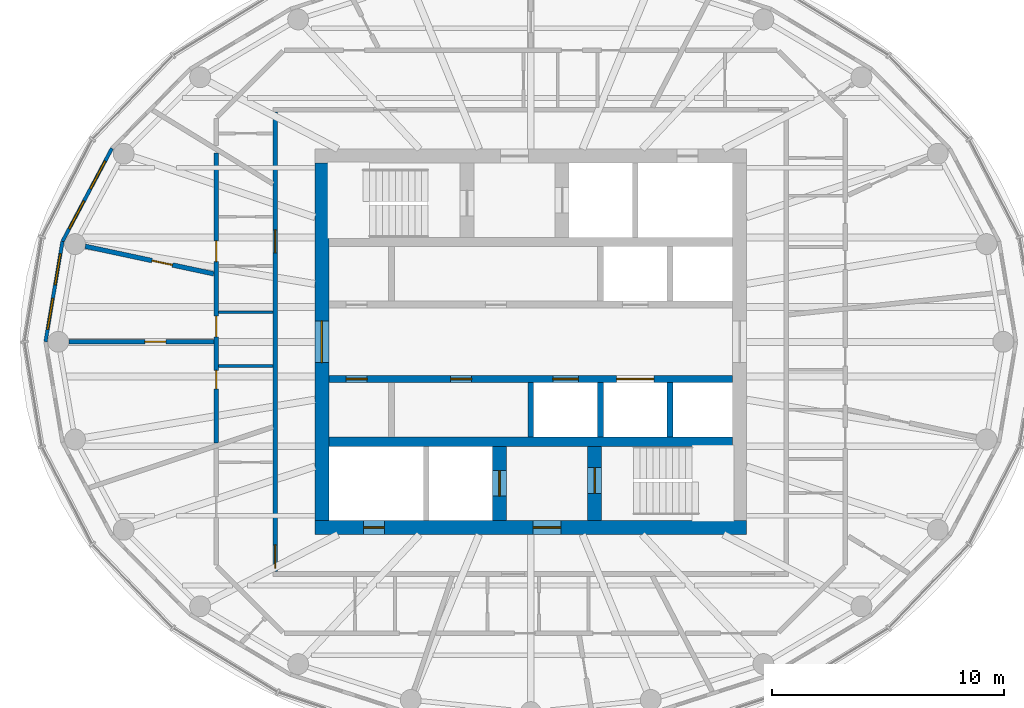
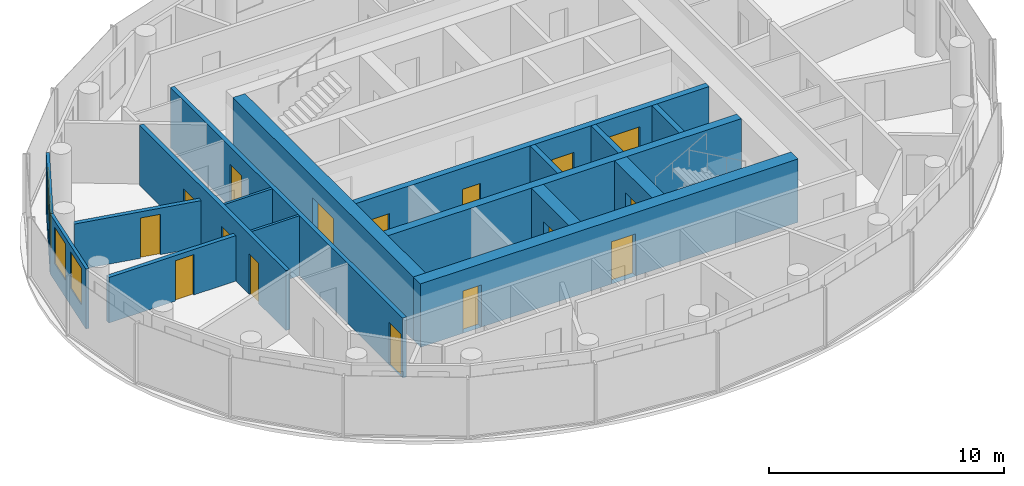
# One storey, part 6 of 11: 17 walls, 16 doors, 4 windows, 20 openings.
"""IFC4 building model written with IfcOpenShell, lengths in metres."""

from ifc_helpers import new_model, si_unit, direction, frame, frame_2d, origin, place, context, subcontext, project, spatial, rectangle, extrude, material, layer, layer_set, type_object, element, fill, save


model = new_model("IFC4")

# Units and contexts
model_context = context("Model", 3, precision=1e-05, world=origin(), true_north=direction((0.0, 1.0)))
body_context = subcontext(model_context, "Body", "Model", "MODEL_VIEW")
ifc_project = project(units=[si_unit("LENGTHUNIT", "METRE"), si_unit("AREAUNIT", "SQUARE_METRE"), si_unit("VOLUMEUNIT", "CUBIC_METRE"), si_unit("PLANEANGLEUNIT", "RADIAN"), si_unit("MASSUNIT", "GRAM", prefix="KILO")], contexts=[model_context])

# Site, building, storey
site_placement = place(None, origin())
site = spatial("IfcSite", under=ifc_project, at=site_placement, CompositionType="ELEMENT")
building_placement = place(site_placement, origin())
building = spatial("IfcBuilding", under=site, at=building_placement, Name="Hankou Lantern Tower", CompositionType="ELEMENT")
storey_placement = place(building_placement, frame((0.0, 0.0, 206.10009765625)))
storey = spatial("IfcBuildingStorey", under=building, at=storey_placement, Name="L55", CompositionType="ELEMENT", Elevation=206.10009765625)

# Wall, openings, doors
ifc_material_1 = material(Name="Concrete C60", Category="concrete")
ifc_layer_1 = layer(ifc_material_1, 0.60009765625)
ifc_layer_set_1 = layer_set([ifc_layer_1], Name="Concrete C60")
wall_type_1 = type_object("IfcWallType", Name="CW3 CORE WALL 600", PredefinedType="SHEAR", material=ifc_layer_set_1)
wall_1_placement = place(storey_placement, frame((9.300048828125, -8.0, 0.0), z_axis=(0.0, 0.0, 1.0), x_axis=(-1.0, 0.0, 0.0)))
wall_1 = element("IfcWall", 1, at=wall_1_placement, inside=storey, type_object=wall_type_1, Name="Core wall south L55", PredefinedType="SHEAR", context=body_context, shape_type="SweptSolid", body=[
    extrude(rectangle(XDim=18.60009765625, YDim=0.60009765625, at=frame_2d((9.300048828125, 0.0))), origin(), (0.0, 0.0, 1.0), 3.2998046875),
])
opening_1_placement = place(wall_1_placement, frame((8.0, 0.0, 0.0)))
opening_1 = element("IfcOpeningElement", 2, at=opening_1_placement, cuts=wall_1, Name="Opening D5", PredefinedType="OPENING", context=body_context, shape_type="SweptSolid", body=[
    extrude(rectangle(XDim=1.199951171875, YDim=2.199951171875, at=frame_2d((0.60009765625, 1.10009765625))), frame((0.0, 0.31005859375, 0.0), z_axis=(0.0, -1.0, 0.0), x_axis=(1.0, 0.0, 0.0)), (0.0, 0.0, 1.0), 0.6201171875),
])
opening_2_placement = place(wall_1_placement, frame((15.60009765625, 0.0, 0.0)))
opening_2 = element("IfcOpeningElement", 3, at=opening_2_placement, cuts=wall_1, Name="Opening D7", PredefinedType="OPENING", context=body_context, shape_type="SweptSolid", body=[
    extrude(rectangle(XDim=0.89990234375, YDim=2.199951171875, at=frame_2d((0.449951171875, 1.10009765625))), frame((0.0, 0.31005859375, 0.0), z_axis=(0.0, -1.0, 0.0), x_axis=(1.0, 0.0, 0.0)), (0.0, 0.0, 1.0), 0.6201171875),
])
ifc_material_2 = material(Name="Steel door leaf", Category="steel")
door_type_1 = type_object("IfcDoorType", Name="D5 STAIR LOBBY DOOR 1200X2200", OperationType="SINGLE_SWING_LEFT", PredefinedType="DOOR", material=ifc_material_2)
door_1_placement = place(opening_1_placement, origin())
door_1 = element("IfcDoor", 4, at=door_1_placement, inside=storey, type_object=door_type_1, Name="Stair B lobby door", OperationType="SINGLE_SWING_LEFT", OverallHeight=2.199951171875, OverallWidth=1.199951171875, PredefinedType="DOOR", context=body_context, shape_type="SweptSolid", body=[
    extrude(rectangle(XDim=1.199951171875, YDim=2.199951171875, at=frame_2d((0.60009765625, 1.10009765625))), frame((0.0, 0.02490234375, 0.0), z_axis=(0.0, -1.0, 0.0), x_axis=(1.0, 0.0, 0.0)), (0.0, 0.0, 1.0), 0.050048828125),
])
fill(opening_1, door_1)
ifc_material_3 = material(Name="Steel door leaf", Category="steel")
door_type_2 = type_object("IfcDoorType", Name="D7 RISER DOOR 900X2200", OperationType="SINGLE_SWING_LEFT", PredefinedType="DOOR", material=ifc_material_3)
door_2_placement = place(opening_2_placement, origin())
door_2 = element("IfcDoor", 5, at=door_2_placement, inside=storey, type_object=door_type_2, Name="Riser S1 door", OperationType="SINGLE_SWING_RIGHT", OverallHeight=2.199951171875, OverallWidth=0.89990234375, PredefinedType="DOOR", context=body_context, shape_type="SweptSolid", body=[
    extrude(rectangle(XDim=0.89990234375, YDim=2.199951171875, at=frame_2d((0.449951171875, 1.10009765625))), frame((0.0, 0.02490234375, 0.0), z_axis=(0.0, -1.0, 0.0), x_axis=(1.0, 0.0, 0.0)), (0.0, 0.0, 1.0), 0.050048828125),
])
fill(opening_2, door_2)

# Wall, opening, door
wall_2_placement = place(storey_placement, frame((-9.0, 7.699951171875, 0.0), z_axis=(0.0, 0.0, 1.0), x_axis=(0.0, -1.0, 0.0)))
wall_2 = element("IfcWall", 6, at=wall_2_placement, inside=storey, type_object=wall_type_1, Name="Core wall west L55", PredefinedType="SHEAR", context=body_context, shape_type="SweptSolid", body=[
    extrude(rectangle(XDim=15.39990234375, YDim=0.60009765625, at=frame_2d((7.699951171875, 0.0))), origin(), (0.0, 0.0, 1.0), 3.2998046875),
])
opening_3_placement = place(wall_2_placement, frame((6.800048828125, 0.0, 0.0)))
opening_3 = element("IfcOpeningElement", 7, at=opening_3_placement, cuts=wall_2, Name="Opening D6", PredefinedType="OPENING", context=body_context, shape_type="SweptSolid", body=[
    extrude(rectangle(XDim=1.800048828125, YDim=2.199951171875, at=frame_2d((0.89990234375, 1.10009765625))), frame((0.0, 0.31005859375, 0.0), z_axis=(0.0, -1.0, 0.0), x_axis=(1.0, 0.0, 0.0)), (0.0, 0.0, 1.0), 0.6201171875),
])
ifc_material_4 = material(Name="Steel door leaf", Category="steel")
door_type_3 = type_object("IfcDoorType", Name="D6 LIFT LOBBY DOOR 1800X2200", OperationType="DOUBLE_DOOR_DOUBLE_SWING", PredefinedType="DOOR", material=ifc_material_4)
door_3_placement = place(opening_3_placement, origin())
door_3 = element("IfcDoor", 8, at=door_3_placement, inside=storey, type_object=door_type_3, Name="Lift lobby west door", OperationType="DOUBLE_DOOR_DOUBLE_SWING", OverallHeight=2.199951171875, OverallWidth=1.800048828125, PredefinedType="DOOR", context=body_context, shape_type="SweptSolid", body=[
    extrude(rectangle(XDim=1.800048828125, YDim=2.199951171875, at=frame_2d((0.89990234375, 1.10009765625))), frame((0.0, 0.02490234375, 0.0), z_axis=(0.0, -1.0, 0.0), x_axis=(1.0, 0.0, 0.0)), (0.0, 0.0, 1.0), 0.050048828125),
])
fill(opening_3, door_3)

# Wall
ifc_material_5 = material(Name="Concrete C60", Category="concrete")
ifc_layer_2 = layer(ifc_material_5, 0.39990234375)
ifc_layer_set_2 = layer_set([ifc_layer_2], Name="Concrete C60")
wall_type_2 = type_object("IfcWallType", Name="CW4 CORE CROSS WALL 400", PredefinedType="SHEAR", material=ifc_layer_set_2)
wall_3_placement = place(storey_placement, frame((-8.699951171875, -4.300048828125, 0.0), z_axis=(0.0, 0.0, 1.0), x_axis=(1.0, 0.0, 0.0)))
element("IfcWall", 9, at=wall_3_placement, inside=storey, type_object=wall_type_2, Name="Core band wall south L55", PredefinedType="SHEAR", context=body_context, shape_type="SweptSolid", body=[
    extrude(rectangle(XDim=17.39990234375, YDim=0.39990234375, at=frame_2d((8.699951171875, 0.0))), origin(), (0.0, 0.0, 1.0), 3.2998046875),
])

# Wall, openings, doors
ifc_material_6 = material(Name="Concrete C60", Category="concrete")
ifc_layer_3 = layer(ifc_material_6, 0.300048828125)
ifc_layer_set_3 = layer_set([ifc_layer_3], Name="Concrete C60")
wall_type_3 = type_object("IfcWallType", Name="CW5 LIFT LOBBY WALL 300", PredefinedType="SHEAR", material=ifc_layer_set_3)
wall_4_placement = place(storey_placement, frame((-8.699951171875, -1.60009765625, 0.0), z_axis=(0.0, 0.0, 1.0), x_axis=(1.0, 0.0, 0.0)))
wall_4 = element("IfcWall", 10, at=wall_4_placement, inside=storey, type_object=wall_type_3, Name="Lift lobby wall south L55", PredefinedType="SHEAR", context=body_context, shape_type="SweptSolid", body=[
    extrude(rectangle(XDim=17.39990234375, YDim=0.300048828125, at=frame_2d((8.699951171875, 0.0))), origin(), (0.0, 0.0, 1.0), 3.2998046875),
])
opening_4_placement = place(wall_4_placement, frame((9.64990234375, 0.0, 0.0)))
opening_4 = element("IfcOpeningElement", 11, at=opening_4_placement, cuts=wall_4, Name="Opening LD1", PredefinedType="OPENING", context=body_context, shape_type="SweptSolid", body=[
    extrude(rectangle(XDim=1.10009765625, YDim=2.199951171875, at=frame_2d((0.550048828125, 1.10009765625))), frame((0.0, 0.159912109375, 0.0), z_axis=(0.0, -1.0, 0.0), x_axis=(1.0, 0.0, 0.0)), (0.0, 0.0, 1.0), 0.320068359375),
])
opening_5_placement = place(wall_4_placement, frame((12.39990234375, 0.0, 0.0)))
opening_5 = element("IfcOpeningElement", 12, at=opening_5_placement, cuts=wall_4, Name="Opening LD4", PredefinedType="OPENING", context=body_context, shape_type="SweptSolid", body=[
    extrude(rectangle(XDim=1.60009765625, YDim=2.39990234375, at=frame_2d((0.800048828125, 1.199951171875))), frame((0.0, 0.159912109375, 0.0), z_axis=(0.0, -1.0, 0.0), x_axis=(1.0, 0.0, 0.0)), (0.0, 0.0, 1.0), 0.320068359375),
])
opening_6_placement = place(wall_4_placement, frame((0.75, 0.0, 0.0)))
opening_6 = element("IfcOpeningElement", 13, at=opening_6_placement, cuts=wall_4, Name="Opening D30", PredefinedType="OPENING", context=body_context, shape_type="SweptSolid", body=[
    extrude(rectangle(XDim=0.89990234375, YDim=2.199951171875, at=frame_2d((0.449951171875, 1.10009765625))), frame((0.0, 0.159912109375, 0.0), z_axis=(0.0, -1.0, 0.0), x_axis=(1.0, 0.0, 0.0)), (0.0, 0.0, 1.0), 0.320068359375),
])
opening_7_placement = place(wall_4_placement, frame((5.25, 0.0, 0.0)))
opening_7 = element("IfcOpeningElement", 14, at=opening_7_placement, cuts=wall_4, Name="Opening D30", PredefinedType="OPENING", context=body_context, shape_type="SweptSolid", body=[
    extrude(rectangle(XDim=0.89990234375, YDim=2.199951171875, at=frame_2d((0.449951171875, 1.10009765625))), frame((0.0, 0.159912109375, 0.0), z_axis=(0.0, -1.0, 0.0), x_axis=(1.0, 0.0, 0.0)), (0.0, 0.0, 1.0), 0.320068359375),
])
ifc_material_7 = material(Name="Steel door leaf", Category="steel")
door_type_4 = type_object("IfcDoorType", Name="D30 CORE ROOM DOOR 900X2200", OperationType="SINGLE_SWING_LEFT", PredefinedType="DOOR", material=ifc_material_7)
door_4_placement = place(opening_6_placement, origin())
door_4 = element("IfcDoor", 15, at=door_4_placement, inside=storey, type_object=door_type_4, Name="Minibar store door", OperationType="SINGLE_SWING_LEFT", OverallHeight=2.199951171875, OverallWidth=0.89990234375, PredefinedType="DOOR", context=body_context, shape_type="SweptSolid", body=[
    extrude(rectangle(XDim=0.89990234375, YDim=2.199951171875, at=frame_2d((0.449951171875, 1.10009765625))), frame((0.0, 0.02490234375, 0.0), z_axis=(0.0, -1.0, 0.0), x_axis=(1.0, 0.0, 0.0)), (0.0, 0.0, 1.0), 0.050048828125),
])
fill(opening_6, door_4)
door_5_placement = place(opening_7_placement, origin())
door_5 = element("IfcDoor", 16, at=door_5_placement, inside=storey, type_object=door_type_4, Name="Guest pantry and ice room door", OperationType="SINGLE_SWING_LEFT", OverallHeight=2.199951171875, OverallWidth=0.89990234375, PredefinedType="DOOR", context=body_context, shape_type="SweptSolid", body=[
    extrude(rectangle(XDim=0.89990234375, YDim=2.199951171875, at=frame_2d((0.449951171875, 1.10009765625))), frame((0.0, 0.02490234375, 0.0), z_axis=(0.0, -1.0, 0.0), x_axis=(1.0, 0.0, 0.0)), (0.0, 0.0, 1.0), 0.050048828125),
])
fill(opening_7, door_5)
ifc_material_8 = material(Name="Steel door leaf", Category="steel")
door_type_5 = type_object("IfcDoorType", Name="LD1 LIFT LANDING DOOR 1100X2200", OperationType="DOUBLE_DOOR_SLIDING", PredefinedType="DOOR", material=ifc_material_8)
door_6_placement = place(opening_4_placement, origin())
door_6 = element("IfcDoor", 17, at=door_6_placement, inside=storey, type_object=door_type_5, Name="Lift T2 landing door", OperationType="DOUBLE_DOOR_SLIDING", OverallHeight=2.199951171875, OverallWidth=1.10009765625, PredefinedType="DOOR", context=body_context, shape_type="SweptSolid", body=[
    extrude(rectangle(XDim=1.10009765625, YDim=2.199951171875, at=frame_2d((0.550048828125, 1.10009765625))), frame((0.0, 0.02490234375, 0.0), z_axis=(0.0, -1.0, 0.0), x_axis=(1.0, 0.0, 0.0)), (0.0, 0.0, 1.0), 0.050048828125),
])
fill(opening_4, door_6)
ifc_material_9 = material(Name="Steel door leaf", Category="steel")
door_type_6 = type_object("IfcDoorType", Name="LD4 SERVICE LIFT LANDING DOOR 1600X2400", OperationType="DOUBLE_DOOR_SLIDING", PredefinedType="DOOR", material=ifc_material_9)
door_7_placement = place(opening_5_placement, origin())
door_7 = element("IfcDoor", 18, at=door_7_placement, inside=storey, type_object=door_type_6, Name="Lift SV1 landing door", OperationType="DOUBLE_DOOR_SLIDING", OverallHeight=2.39990234375, OverallWidth=1.60009765625, PredefinedType="DOOR", context=body_context, shape_type="SweptSolid", body=[
    extrude(rectangle(XDim=1.60009765625, YDim=2.39990234375, at=frame_2d((0.800048828125, 1.199951171875))), frame((0.0, 0.02490234375, 0.0), z_axis=(0.0, -1.0, 0.0), x_axis=(1.0, 0.0, 0.0)), (0.0, 0.0, 1.0), 0.050048828125),
])
fill(opening_5, door_7)

# Wall, opening, door
ifc_material_10 = material(Name="Concrete C60", Category="concrete")
ifc_layer_4 = layer(ifc_material_10, 0.60009765625)
ifc_layer_set_4 = layer_set([ifc_layer_4], Name="Concrete C60")
wall_type_4 = type_object("IfcWallType", Name="CW6 STAIR AND SHAFT WALL 600", PredefinedType="SHEAR", material=ifc_layer_set_4)
wall_5_placement = place(storey_placement, frame((2.75, -7.699951171875, 0.0), z_axis=(0.0, 0.0, 1.0), x_axis=(0.0, 1.0, 0.0)))
wall_5 = element("IfcWall", 19, at=wall_5_placement, inside=storey, type_object=wall_type_4, Name="Stair wall L55", PredefinedType="SHEAR", context=body_context, shape_type="SweptSolid", body=[
    extrude(rectangle(XDim=3.199951171875, YDim=0.60009765625, at=frame_2d((1.60009765625, 0.0))), origin(), (0.0, 0.0, 1.0), 3.2998046875),
])
opening_8_placement = place(wall_5_placement, frame((1.175048828125, 0.0, 0.0)))
opening_8 = element("IfcOpeningElement", 20, at=opening_8_placement, cuts=wall_5, Name="Opening D4", PredefinedType="OPENING", context=body_context, shape_type="SweptSolid", body=[
    extrude(rectangle(XDim=1.10009765625, YDim=2.199951171875, at=frame_2d((0.550048828125, 1.10009765625))), frame((0.0, 0.31005859375, 0.0), z_axis=(0.0, -1.0, 0.0), x_axis=(1.0, 0.0, 0.0)), (0.0, 0.0, 1.0), 0.6201171875),
])
ifc_material_11 = material(Name="Steel door leaf", Category="steel")
door_type_7 = type_object("IfcDoorType", Name="D4 STAIR DOOR 1100X2200", OperationType="SINGLE_SWING_LEFT", PredefinedType="DOOR", material=ifc_material_11)
door_8_placement = place(opening_8_placement, origin())
door_8 = element("IfcDoor", 21, at=door_8_placement, inside=storey, type_object=door_type_7, Name="Stair B door", OperationType="SINGLE_SWING_RIGHT", OverallHeight=2.199951171875, OverallWidth=1.10009765625, PredefinedType="DOOR", context=body_context, shape_type="SweptSolid", body=[
    extrude(rectangle(XDim=1.10009765625, YDim=2.199951171875, at=frame_2d((0.550048828125, 1.10009765625))), frame((0.0, 0.02490234375, 0.0), z_axis=(0.0, -1.0, 0.0), x_axis=(1.0, 0.0, 0.0)), (0.0, 0.0, 1.0), 0.050048828125),
])
fill(opening_8, door_8)

wall_6_placement = place(storey_placement, frame((-1.35009765625, -7.699951171875, 0.0), z_axis=(0.0, 0.0, 1.0), x_axis=(0.0, 1.0, 0.0)))
wall_6 = element("IfcWall", 22, at=wall_6_placement, inside=storey, type_object=wall_type_4, Name="Firefighting lift shaft wall L55", PredefinedType="SHEAR", context=body_context, shape_type="SweptSolid", body=[
    extrude(rectangle(XDim=3.199951171875, YDim=0.60009765625, at=frame_2d((1.60009765625, 0.0))), origin(), (0.0, 0.0, 1.0), 3.2998046875),
])
opening_9_placement = place(wall_6_placement, frame((1.050048828125, 0.0, 0.0)))
opening_9 = element("IfcOpeningElement", 23, at=opening_9_placement, cuts=wall_6, Name="Opening LD2", PredefinedType="OPENING", context=body_context, shape_type="SweptSolid", body=[
    extrude(rectangle(XDim=1.10009765625, YDim=2.199951171875, at=frame_2d((0.550048828125, 1.10009765625))), frame((0.0, 0.31005859375, 0.0), z_axis=(0.0, -1.0, 0.0), x_axis=(1.0, 0.0, 0.0)), (0.0, 0.0, 1.0), 0.6201171875),
])
ifc_material_12 = material(Name="Steel door leaf", Category="steel")
door_type_8 = type_object("IfcDoorType", Name="LD2 FIREFIGHTING LIFT LANDING DOOR 1100X2200", OperationType="DOUBLE_DOOR_SLIDING", PredefinedType="DOOR", material=ifc_material_12)
door_9_placement = place(opening_9_placement, origin())
door_9 = element("IfcDoor", 24, at=door_9_placement, inside=storey, type_object=door_type_8, Name="Firefighting lift FL2 landing door", OperationType="DOUBLE_DOOR_SLIDING", OverallHeight=2.199951171875, OverallWidth=1.10009765625, PredefinedType="DOOR", context=body_context, shape_type="SweptSolid", body=[
    extrude(rectangle(XDim=1.10009765625, YDim=2.199951171875, at=frame_2d((0.550048828125, 1.10009765625))), frame((0.0, 0.02490234375, 0.0), z_axis=(0.0, -1.0, 0.0), x_axis=(1.0, 0.0, 0.0)), (0.0, 0.0, 1.0), 0.050048828125),
])
fill(opening_9, door_9)

# Wall, openings, windows
ifc_material_13 = material(Name="Aluminium spandrel panel on steel studs", Category="steel")
ifc_layer_5 = layer(ifc_material_13, 0.14990234375)
ifc_layer_set_5 = layer_set([ifc_layer_5], Name="Aluminium spandrel panel on steel studs")
wall_type_5 = type_object("IfcWallType", Name="EW1 INNER SKIN WALL 150", PredefinedType="ELEMENTEDWALL", material=ifc_layer_set_5)
wall_7_placement = place(storey_placement, frame((-18.03955078125, 8.33203125, 0.0), z_axis=(0.0, 0.0, 1.0), x_axis=(-0.469256152955, -0.883062094597, 0.0)))
wall_7 = element("IfcWall", 25, at=wall_7_placement, inside=storey, type_object=wall_type_5, Name="Inner skin R11-R12 L55", PredefinedType="ELEMENTEDWALL", context=body_context, shape_type="SweptSolid", body=[
    extrude(rectangle(XDim=4.539306640625, YDim=0.14990234375, at=frame_2d((2.26953125, 0.0))), origin(), (0.0, 0.0, 1.0), 3.119873046875),
])
opening_10_placement = place(wall_7_placement, frame((0.61962890625, 0.0, 0.89990234375)))
opening_10 = element("IfcOpeningElement", 26, at=opening_10_placement, cuts=wall_7, Name="Opening W4", PredefinedType="OPENING", context=body_context, shape_type="SweptSolid", body=[
    extrude(rectangle(XDim=1.35009765625, YDim=1.89990234375, at=frame_2d((0.675048828125, 0.949951171875))), frame((0.0, 0.0849609375, 0.0), z_axis=(0.0, -1.0, 0.0), x_axis=(1.0, 0.0, 0.0)), (0.0, 0.0, 1.0), 0.169921875),
])
opening_11_placement = place(wall_7_placement, frame((2.569580078125, 0.0, 0.89990234375)))
opening_11 = element("IfcOpeningElement", 27, at=opening_11_placement, cuts=wall_7, Name="Opening W4", PredefinedType="OPENING", context=body_context, shape_type="SweptSolid", body=[
    extrude(rectangle(XDim=1.35009765625, YDim=1.89990234375, at=frame_2d((0.675048828125, 0.949951171875))), frame((0.0, 0.0849609375, 0.0), z_axis=(0.0, -1.0, 0.0), x_axis=(1.0, 0.0, 0.0)), (0.0, 0.0, 1.0), 0.169921875),
])
ifc_material_14 = material(Name="Aluminium framed double glazed window", Category="aluminium")
window_type = type_object("IfcWindowType", Name="W4 SUITE WINDOW 1350X1900", PartitioningType="DOUBLE_PANEL_VERTICAL", PredefinedType="WINDOW", material=ifc_material_14)
window_1_placement = place(opening_10_placement, origin())
window_1 = element("IfcWindow", 28, at=window_1_placement, inside=storey, type_object=window_type, Name="Window R11.1 L55", OverallHeight=1.89990234375, OverallWidth=1.35009765625, PartitioningType="SINGLE_PANEL", PredefinedType="WINDOW", context=body_context, shape_type="SweptSolid", body=[
    extrude(rectangle(XDim=1.35009765625, YDim=1.89990234375, at=frame_2d((0.675048828125, 0.949951171875))), frame((0.0, 0.030029296875, 0.0), z_axis=(0.0, -1.0, 0.0), x_axis=(1.0, 0.0, 0.0)), (0.0, 0.0, 1.0), 0.06005859375),
])
fill(opening_10, window_1)
window_2_placement = place(opening_11_placement, origin())
window_2 = element("IfcWindow", 29, at=window_2_placement, inside=storey, type_object=window_type, Name="Window R11.2 L55", OverallHeight=1.89990234375, OverallWidth=1.35009765625, PartitioningType="SINGLE_PANEL", PredefinedType="WINDOW", context=body_context, shape_type="SweptSolid", body=[
    extrude(rectangle(XDim=1.35009765625, YDim=1.89990234375, at=frame_2d((0.675048828125, 0.949951171875))), frame((0.0, 0.030029296875, 0.0), z_axis=(0.0, -1.0, 0.0), x_axis=(1.0, 0.0, 0.0)), (0.0, 0.0, 1.0), 0.06005859375),
])
fill(opening_11, window_2)

wall_8_placement = place(storey_placement, frame((-20.169677734375, 4.323486328125, 0.0), z_axis=(0.0, 0.0, 1.0), x_axis=(-0.166538513568, -0.986034950445, 0.0)))
wall_8 = element("IfcWall", 30, at=wall_8_placement, inside=storey, type_object=wall_type_5, Name="Inner skin R12-R13 L55", PredefinedType="ELEMENTEDWALL", context=body_context, shape_type="SweptSolid", body=[
    extrude(rectangle(XDim=4.384765625, YDim=0.14990234375, at=frame_2d((2.1923828125, 0.0))), origin(), (0.0, 0.0, 1.0), 3.119873046875),
])
opening_12_placement = place(wall_8_placement, frame((0.54248046875, 0.0, 0.89990234375)))
opening_12 = element("IfcOpeningElement", 31, at=opening_12_placement, cuts=wall_8, Name="Opening W4", PredefinedType="OPENING", context=body_context, shape_type="SweptSolid", body=[
    extrude(rectangle(XDim=1.35009765625, YDim=1.89990234375, at=frame_2d((0.675048828125, 0.949951171875))), frame((0.0, 0.0849609375, 0.0), z_axis=(0.0, -1.0, 0.0), x_axis=(1.0, 0.0, 0.0)), (0.0, 0.0, 1.0), 0.169921875),
])
opening_13_placement = place(wall_8_placement, frame((2.492431640625, 0.0, 0.89990234375)))
opening_13 = element("IfcOpeningElement", 32, at=opening_13_placement, cuts=wall_8, Name="Opening W4", PredefinedType="OPENING", context=body_context, shape_type="SweptSolid", body=[
    extrude(rectangle(XDim=1.35009765625, YDim=1.89990234375, at=frame_2d((0.675048828125, 0.949951171875))), frame((0.0, 0.0849609375, 0.0), z_axis=(0.0, -1.0, 0.0), x_axis=(1.0, 0.0, 0.0)), (0.0, 0.0, 1.0), 0.169921875),
])
window_3_placement = place(opening_12_placement, origin())
window_3 = element("IfcWindow", 33, at=window_3_placement, inside=storey, type_object=window_type, Name="Window R12.1 L55", OverallHeight=1.89990234375, OverallWidth=1.35009765625, PartitioningType="SINGLE_PANEL", PredefinedType="WINDOW", context=body_context, shape_type="SweptSolid", body=[
    extrude(rectangle(XDim=1.35009765625, YDim=1.89990234375, at=frame_2d((0.675048828125, 0.949951171875))), frame((0.0, 0.030029296875, 0.0), z_axis=(0.0, -1.0, 0.0), x_axis=(1.0, 0.0, 0.0)), (0.0, 0.0, 1.0), 0.06005859375),
])
fill(opening_12, window_3)
window_4_placement = place(opening_13_placement, origin())
window_4 = element("IfcWindow", 34, at=window_4_placement, inside=storey, type_object=window_type, Name="Window R12.2 L55", OverallHeight=1.89990234375, OverallWidth=1.35009765625, PartitioningType="SINGLE_PANEL", PredefinedType="WINDOW", context=body_context, shape_type="SweptSolid", body=[
    extrude(rectangle(XDim=1.35009765625, YDim=1.89990234375, at=frame_2d((0.675048828125, 0.949951171875))), frame((0.0, 0.030029296875, 0.0), z_axis=(0.0, -1.0, 0.0), x_axis=(1.0, 0.0, 0.0)), (0.0, 0.0, 1.0), 0.06005859375),
])
fill(opening_13, window_4)

# Wall, openings, doors
ifc_material_15 = material(Name="Masonry lightweight concrete block", Category="masonry")
ifc_layer_6 = layer(ifc_material_15, 0.199951171875)
ifc_layer_set_6 = layer_set([ifc_layer_6], Name="Masonry lightweight concrete block")
wall_type_6 = type_object("IfcWallType", Name="IW2 CORRIDOR WALL 200", PredefinedType="PARTITIONING", material=ifc_layer_set_6)
wall_9_placement = place(storey_placement, frame((-11.0, 9.89990234375, 0.0), z_axis=(0.0, 0.0, 1.0), x_axis=(0.0, -1.0, 0.0)))
wall_9 = element("IfcWall", 35, at=wall_9_placement, inside=storey, type_object=wall_type_6, Name="Corridor wall west", PredefinedType="PARTITIONING", context=body_context, shape_type="SweptSolid", body=[
    extrude(rectangle(XDim=19.7998046875, YDim=0.199951171875, at=frame_2d((9.89990234375, 0.0))), origin(), (0.0, 0.0, 1.0), 3.119873046875),
])
opening_14_placement = place(wall_9_placement, frame((5.07470703125, 0.0, 0.0)))
opening_14 = element("IfcOpeningElement", 36, at=opening_14_placement, cuts=wall_9, Name="Opening D2", PredefinedType="OPENING", context=body_context, shape_type="SweptSolid", body=[
    extrude(rectangle(XDim=1.0, YDim=2.199951171875, at=frame_2d((0.5, 1.10009765625))), frame((0.0, 0.10986328125, 0.0), z_axis=(0.0, -1.0, 0.0), x_axis=(1.0, 0.0, 0.0)), (0.0, 0.0, 1.0), 0.219970703125),
])
opening_15_placement = place(wall_9_placement, frame((18.645263671875, 0.0, 0.0)))
opening_15 = element("IfcOpeningElement", 37, at=opening_15_placement, cuts=wall_9, Name="Opening D2", PredefinedType="OPENING", context=body_context, shape_type="SweptSolid", body=[
    extrude(rectangle(XDim=1.0, YDim=2.199951171875, at=frame_2d((0.5, 1.10009765625))), frame((0.0, 0.10986328125, 0.0), z_axis=(0.0, -1.0, 0.0), x_axis=(1.0, 0.0, 0.0)), (0.0, 0.0, 1.0), 0.219970703125),
])
ifc_material_16 = material(Name="Steel door leaf", Category="steel")
door_type_9 = type_object("IfcDoorType", Name="D2 SUITE DOOR 1000X2200", OperationType="SINGLE_SWING_LEFT", PredefinedType="DOOR", material=ifc_material_16)
door_10_placement = place(opening_14_placement, origin())
door_10 = element("IfcDoor", 38, at=door_10_placement, inside=storey, type_object=door_type_9, Name="Suite door 5503", OperationType="SINGLE_SWING_LEFT", OverallHeight=2.199951171875, OverallWidth=1.0, PredefinedType="DOOR", context=body_context, shape_type="SweptSolid", body=[
    extrude(rectangle(XDim=1.0, YDim=2.199951171875, at=frame_2d((0.5, 1.10009765625))), frame((0.0, 0.02490234375, 0.0), z_axis=(0.0, -1.0, 0.0), x_axis=(1.0, 0.0, 0.0)), (0.0, 0.0, 1.0), 0.050048828125),
])
fill(opening_14, door_10)
door_11_placement = place(opening_15_placement, origin())
door_11 = element("IfcDoor", 39, at=door_11_placement, inside=storey, type_object=door_type_9, Name="Suite door 5504", OperationType="SINGLE_SWING_RIGHT", OverallHeight=2.199951171875, OverallWidth=1.0, PredefinedType="DOOR", context=body_context, shape_type="SweptSolid", body=[
    extrude(rectangle(XDim=1.0, YDim=2.199951171875, at=frame_2d((0.5, 1.10009765625))), frame((0.0, 0.02490234375, 0.0), z_axis=(0.0, -1.0, 0.0), x_axis=(1.0, 0.0, 0.0)), (0.0, 0.0, 1.0), 0.050048828125),
])
fill(opening_15, door_11)

# Walls
ifc_material_17 = material(Name="Masonry lightweight concrete block", Category="masonry")
ifc_layer_7 = layer(ifc_material_17, 0.1201171875)
ifc_layer_set_7 = layer_set([ifc_layer_7], Name="Masonry lightweight concrete block")
wall_type_7 = type_object("IfcWallType", Name="IW3 BATHROOM WALL 120", PredefinedType="PARTITIONING", material=ifc_layer_set_7)
for number, where, z_axis, x_axis, name in (
    (40, (-11.10009765625, 1.268798828125, 0.0), (0.0, 0.0, 1.0), (-1.0, 0.0, 0.0), "Box wall 5503 3"),
    (41, (-11.10009765625, -1.048828125, 0.0), (0.0, 0.0, 1.0), (-1.0, 0.0, 0.0), "Box wall 5503 4"),
):
    element("IfcWall", number, at=place(storey_placement, frame(where, z_axis=z_axis, x_axis=x_axis)), inside=storey, type_object=wall_type_7, Name=name, PredefinedType="PARTITIONING", context=body_context, shape_type="SweptSolid", body=[
        extrude(rectangle(XDim=2.349853515625, YDim=0.1201171875, at=frame_2d((1.1748046875, 0.0))), origin(), (0.0, 0.0, 1.0), 3.119873046875),
    ])

# Wall, openings, doors
ifc_material_18 = material(Name="Masonry lightweight concrete block", Category="masonry")
ifc_layer_8 = layer(ifc_material_18, 0.199951171875)
ifc_layer_set_8 = layer_set([ifc_layer_8], Name="Masonry lightweight concrete block")
wall_type_8 = type_object("IfcWallType", Name="IW6 SUITE PARTITION 200", PredefinedType="PARTITIONING", material=ifc_layer_set_8)
wall_10_placement = place(storey_placement, frame((-13.550048828125, 8.13916015625, 0.0), z_axis=(0.0, 0.0, 1.0), x_axis=(0.0, -1.0, 0.0)))
wall_10 = element("IfcWall", 42, at=wall_10_placement, inside=storey, type_object=wall_type_8, Name="Suite foyer wall 5503", PredefinedType="PARTITIONING", context=body_context, shape_type="SweptSolid", body=[
    extrude(rectangle(XDim=12.496337890625, YDim=0.199951171875, at=frame_2d((6.248046875, 0.0))), origin(), (0.0, 0.0, 1.0), 3.119873046875),
])
opening_16_placement = place(wall_10_placement, frame((7.030517578125, 0.0, 0.0)))
opening_16 = element("IfcOpeningElement", 43, at=opening_16_placement, cuts=wall_10, Name="Opening D27", PredefinedType="OPENING", context=body_context, shape_type="SweptSolid", body=[
    extrude(rectangle(XDim=0.89990234375, YDim=2.10009765625, at=frame_2d((0.449951171875, 1.050048828125))), frame((0.0, 0.10986328125, 0.0), z_axis=(0.0, -1.0, 0.0), x_axis=(1.0, 0.0, 0.0)), (0.0, 0.0, 1.0), 0.219970703125),
])
opening_17_placement = place(wall_10_placement, frame((9.372802734375, 0.0, 0.0)))
opening_17 = element("IfcOpeningElement", 44, at=opening_17_placement, cuts=wall_10, Name="Opening D3", PredefinedType="OPENING", context=body_context, shape_type="SweptSolid", body=[
    extrude(rectangle(XDim=0.800048828125, YDim=2.10009765625, at=frame_2d((0.39990234375, 1.050048828125))), frame((0.0, 0.10986328125, 0.0), z_axis=(0.0, -1.0, 0.0), x_axis=(1.0, 0.0, 0.0)), (0.0, 0.0, 1.0), 0.219970703125),
])
opening_18_placement = place(wall_10_placement, frame((3.788818359375, 0.0, 0.0)))
opening_18 = element("IfcOpeningElement", 45, at=opening_18_placement, cuts=wall_10, Name="Opening D27", PredefinedType="OPENING", context=body_context, shape_type="SweptSolid", body=[
    extrude(rectangle(XDim=0.89990234375, YDim=2.10009765625, at=frame_2d((0.449951171875, 1.050048828125))), frame((0.0, 0.10986328125, 0.0), z_axis=(0.0, -1.0, 0.0), x_axis=(1.0, 0.0, 0.0)), (0.0, 0.0, 1.0), 0.219970703125),
])
ifc_material_19 = material(Name="Timber door leaf", Category="wood")
door_type_10 = type_object("IfcDoorType", Name="D27 INTERNAL DOOR 900X2100", OperationType="SINGLE_SWING_LEFT", PredefinedType="DOOR", material=ifc_material_19)
door_12_placement = place(opening_16_placement, origin())
door_12 = element("IfcDoor", 46, at=door_12_placement, inside=storey, type_object=door_type_10, Name="Corner suite 5503 pantry door", OperationType="SINGLE_SWING_LEFT", OverallHeight=2.10009765625, OverallWidth=0.89990234375, PredefinedType="DOOR", context=body_context, shape_type="SweptSolid", body=[
    extrude(rectangle(XDim=0.89990234375, YDim=2.10009765625, at=frame_2d((0.449951171875, 1.050048828125))), frame((0.0, 0.02490234375, 0.0), z_axis=(0.0, -1.0, 0.0), x_axis=(1.0, 0.0, 0.0)), (0.0, 0.0, 1.0), 0.050048828125),
])
fill(opening_16, door_12)
door_13_placement = place(opening_18_placement, origin())
door_13 = element("IfcDoor", 47, at=door_13_placement, inside=storey, type_object=door_type_10, Name="Corner suite 5503 living room door", OperationType="SINGLE_SWING_RIGHT", OverallHeight=2.10009765625, OverallWidth=0.89990234375, PredefinedType="DOOR", context=body_context, shape_type="SweptSolid", body=[
    extrude(rectangle(XDim=0.89990234375, YDim=2.10009765625, at=frame_2d((0.449951171875, 1.050048828125))), frame((0.0, 0.02490234375, 0.0), z_axis=(0.0, -1.0, 0.0), x_axis=(1.0, 0.0, 0.0)), (0.0, 0.0, 1.0), 0.050048828125),
])
fill(opening_18, door_13)
ifc_material_20 = material(Name="Timber door leaf", Category="wood")
door_type_11 = type_object("IfcDoorType", Name="D3 BATHROOM DOOR 800X2100", OperationType="SINGLE_SWING_LEFT", PredefinedType="DOOR", material=ifc_material_20)
door_14_placement = place(opening_17_placement, origin())
door_14 = element("IfcDoor", 48, at=door_14_placement, inside=storey, type_object=door_type_11, Name="Corner suite 5503 bathroom door", OperationType="SINGLE_SWING_LEFT", OverallHeight=2.10009765625, OverallWidth=0.800048828125, PredefinedType="DOOR", context=body_context, shape_type="SweptSolid", body=[
    extrude(rectangle(XDim=0.800048828125, YDim=2.10009765625, at=frame_2d((0.39990234375, 1.050048828125))), frame((0.0, 0.02490234375, 0.0), z_axis=(0.0, -1.0, 0.0), x_axis=(1.0, 0.0, 0.0)), (0.0, 0.0, 1.0), 0.050048828125),
])
fill(opening_17, door_14)

# Wall, opening, door
wall_11_placement = place(storey_placement, frame((-13.65478515625, 2.927001953125, 0.0), z_axis=(0.0, 0.0, 1.0), x_axis=(-0.977790419294, 0.209585056568, 0.0)))
wall_11 = element("IfcWall", 49, at=wall_11_placement, inside=storey, type_object=wall_type_8, Name="Suite partition R12", PredefinedType="PARTITIONING", context=body_context, shape_type="SweptSolid", body=[
    extrude(rectangle(XDim=5.66015625, YDim=0.199951171875, at=frame_2d((2.830078125, 0.0))), origin(), (0.0, 0.0, 1.0), 2.419921875),
])
opening_19_placement = place(wall_11_placement, frame((1.820068359375, 0.0, 0.0)))
opening_19 = element("IfcOpeningElement", 50, at=opening_19_placement, cuts=wall_11, Name="Opening D27", PredefinedType="OPENING", context=body_context, shape_type="SweptSolid", body=[
    extrude(rectangle(XDim=0.89990234375, YDim=2.10009765625, at=frame_2d((0.449951171875, 1.050048828125))), frame((0.0, 0.10986328125, 0.0), z_axis=(0.0, -1.0, 0.0), x_axis=(1.0, 0.0, 0.0)), (0.0, 0.0, 1.0), 0.219970703125),
])
door_15_placement = place(opening_19_placement, origin())
door_15 = element("IfcDoor", 51, at=door_15_placement, inside=storey, type_object=door_type_10, Name="Corner suite 5503 dining room door", OperationType="SINGLE_SWING_LEFT", OverallHeight=2.10009765625, OverallWidth=0.89990234375, PredefinedType="DOOR", context=body_context, shape_type="SweptSolid", body=[
    extrude(rectangle(XDim=0.89990234375, YDim=2.10009765625, at=frame_2d((0.449951171875, 1.050048828125))), frame((0.0, 0.02490234375, 0.0), z_axis=(0.0, -1.0, 0.0), x_axis=(1.0, 0.0, 0.0)), (0.0, 0.0, 1.0), 0.050048828125),
])
fill(opening_19, door_15)

wall_12_placement = place(storey_placement, frame((-13.64990234375, 0.0, 0.0), z_axis=(0.0, 0.0, 1.0), x_axis=(-1.0, 0.0, 0.0)))
wall_12 = element("IfcWall", 52, at=wall_12_placement, inside=storey, type_object=wall_type_8, Name="Suite partition R13", PredefinedType="PARTITIONING", context=body_context, shape_type="SweptSolid", body=[
    extrude(rectangle(XDim=6.25, YDim=0.199951171875, at=frame_2d((3.125, 0.0))), origin(), (0.0, 0.0, 1.0), 2.369873046875),
])
opening_20_placement = place(wall_12_placement, frame((2.070068359375, 0.0, 0.0)))
opening_20 = element("IfcOpeningElement", 53, at=opening_20_placement, cuts=wall_12, Name="Opening D27", PredefinedType="OPENING", context=body_context, shape_type="SweptSolid", body=[
    extrude(rectangle(XDim=0.89990234375, YDim=2.10009765625, at=frame_2d((0.449951171875, 1.050048828125))), frame((0.0, 0.10986328125, 0.0), z_axis=(0.0, -1.0, 0.0), x_axis=(1.0, 0.0, 0.0)), (0.0, 0.0, 1.0), 0.219970703125),
])
door_16_placement = place(opening_20_placement, origin())
door_16 = element("IfcDoor", 54, at=door_16_placement, inside=storey, type_object=door_type_10, Name="Corner suite 5503 bedroom door", OperationType="SINGLE_SWING_LEFT", OverallHeight=2.10009765625, OverallWidth=0.89990234375, PredefinedType="DOOR", context=body_context, shape_type="SweptSolid", body=[
    extrude(rectangle(XDim=0.89990234375, YDim=2.10009765625, at=frame_2d((0.449951171875, 1.050048828125))), frame((0.0, 0.02490234375, 0.0), z_axis=(0.0, -1.0, 0.0), x_axis=(1.0, 0.0, 0.0)), (0.0, 0.0, 1.0), 0.050048828125),
])
fill(opening_20, door_16)

# Walls
ifc_material_21 = material(Name="Masonry autoclaved aerated concrete block", Category="masonry")
ifc_layer_9 = layer(ifc_material_21, 0.25)
ifc_layer_set_9 = layer_set([ifc_layer_9], Name="Masonry autoclaved aerated concrete block")
wall_type_9 = type_object("IfcWallType", Name="SW1 SHAFT BLOCK WALL 250", PredefinedType="PARTITIONING", material=ifc_layer_set_9)
for number, where, z_axis, x_axis, name in (
    (55, (0.0, -4.10009765625, 0.0), (0.0, 0.0, 1.0), (0.0, 1.0, 0.0), "Lift shaft wall L55"),
    (56, (3.0, -4.10009765625, 0.0), (0.0, 0.0, 1.0), (0.0, 1.0, 0.0), "Lift shaft wall L55"),
    (57, (6.0, -4.10009765625, 0.0), (0.0, 0.0, 1.0), (0.0, 1.0, 0.0), "Lift shaft wall L55"),
):
    element("IfcWall", number, at=place(storey_placement, frame(where, z_axis=z_axis, x_axis=x_axis)), inside=storey, type_object=wall_type_9, Name=name, PredefinedType="PARTITIONING", context=body_context, shape_type="SweptSolid", body=[
        extrude(rectangle(XDim=2.35009765625, YDim=0.25, at=frame_2d((1.175048828125, 0.0))), origin(), (0.0, 0.0, 1.0), 3.2998046875),
    ])

save(model, "model.ifc")
